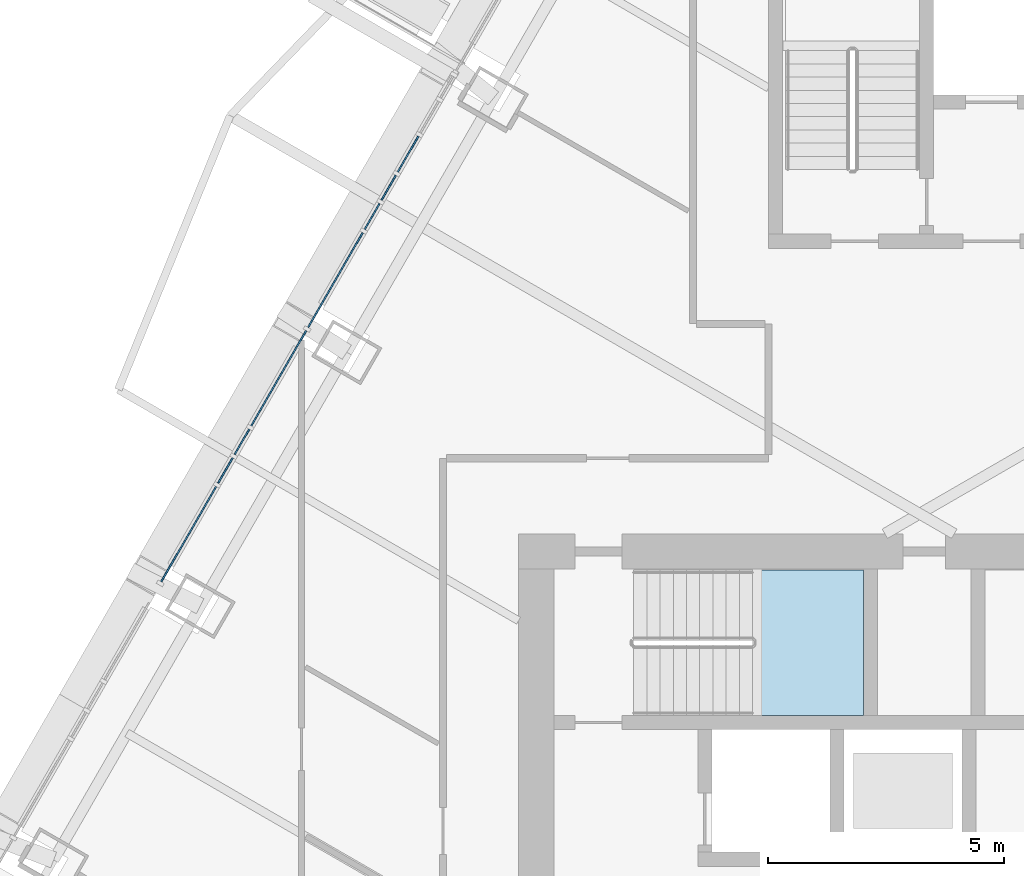
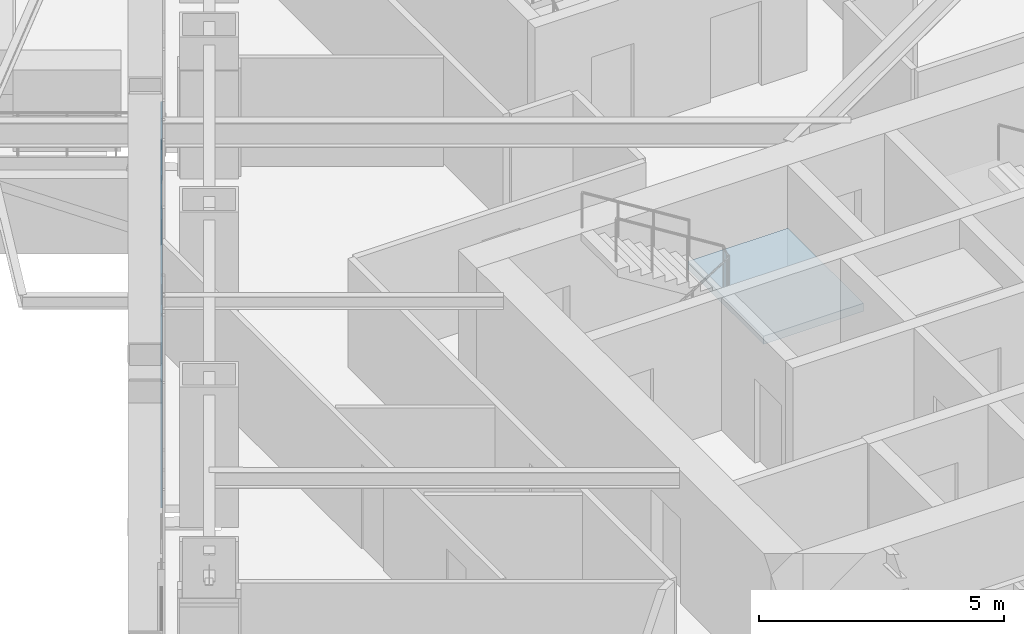
# One storey, part 10 of 23: 8 plates, 1 slab, 2 elements without a shape of their own.
"""IFC4 building model written with IfcOpenShell, lengths in metres."""

from ifc_helpers import new_model, si_unit, direction, frame, origin, place, context, subcontext, project, spatial, polyline, outline, extrude, material, layer, layer_set, type_object, element, aggregate, save


model = new_model("IFC4")

# Units and contexts
model_context = context("Model", 3, precision=1e-05, world=origin(), true_north=direction((0.0, 1.0)))
body_context = subcontext(model_context, "Body", "Model", "MODEL_VIEW")
ifc_project = project(units=[si_unit("LENGTHUNIT", "METRE"), si_unit("AREAUNIT", "SQUARE_METRE"), si_unit("VOLUMEUNIT", "CUBIC_METRE"), si_unit("PLANEANGLEUNIT", "RADIAN"), si_unit("MASSUNIT", "GRAM", prefix="KILO")], contexts=[model_context])

# Site, building, storey
site_placement = place(None, origin())
site = spatial("IfcSite", under=ifc_project, at=site_placement, CompositionType="ELEMENT")
building_placement = place(site_placement, origin())
building = spatial("IfcBuilding", under=site, at=building_placement, Name="Firuza Gate Tower and Library", CompositionType="ELEMENT")
storey_placement = place(building_placement, frame((0.0, 0.0, 291.60009765625)))
storey = spatial("IfcBuildingStorey", under=building, at=storey_placement, Name="L70", CompositionType="ELEMENT", Elevation=291.60009765625)

# Curtain wall, plates
ifc_material_1 = material(Name="Aluminium 6063-T6", Category="aluminium")
ifc_layer_1 = layer(ifc_material_1, 0.14990234375)
ifc_layer_set_1 = layer_set([ifc_layer_1], Name="Unitised curtain wall, residences")
curtain_wall_type = type_object("IfcCurtainWallType", Name="Unitised curtain wall, residences", PredefinedType="NOTDEFINED", material=ifc_layer_set_1)
placement = place(storey_placement, origin())
curtain_wall = element("IfcCurtainWall", 1, at=placement, inside=storey, type_object=curtain_wall_type, Name="CW3 L70 W face", PredefinedType="NOTDEFINED")
ifc_material_2 = material(Name="Fritted glass", Category="glass")
ifc_layer_2 = layer(ifc_material_2, 0.030029296875)
ifc_layer_set_2 = layer_set([ifc_layer_2], Name="Fritted glass unit, residences")
plate_type_1 = type_object("IfcPlateType", Name="Fritted glass unit, residences", PredefinedType="CURTAIN_PANEL", material=ifc_layer_set_2)
plate_1_placement = place(storey_placement, frame((64.3642578125, 90.18310546875, 0.14990234375), z_axis=(-0.866027162616, 0.499996953601, 0.0), x_axis=(-0.499996953601, -0.866027162616, 0.0)))
plate_1 = element("IfcPlate", 2, at=plate_1_placement, type_object=plate_type_1, Name="Glass unit", PredefinedType="CURTAIN_PANEL", context=body_context, shape_type="SweptSolid", body=[
    extrude(outline(polyline([(0.0, 0.0), (1.5654392254039695, 0.0), (1.5654392254039695, 1.534912109375), (0.0, 1.534912109375), (0.0, 0.0)])), origin(), (0.0, 0.0, -1.0), 0.030029296875),
])
plate_2_placement = place(storey_placement, frame((63.886474609375, 89.35546875, 1.764892578125), z_axis=(-0.865992225662, 0.50005746179, 0.0), x_axis=(-0.50005746179, -0.865992225662, 0.0)))
plate_2 = element("IfcPlate", 3, at=plate_2_placement, type_object=plate_type_1, Name="Glass unit", PredefinedType="CURTAIN_PANEL", context=body_context, shape_type="SweptSolid", body=[
    extrude(outline(polyline([(0.0, 0.0), (0.609793201631839, 0.0), (0.609793201631839, 1.5349121093750004), (0.0, 1.5349121093750004), (0.0, 0.0)])), origin(), (0.0, 0.0, -1.0), 0.030029296875),
])
plate_3_placement = place(storey_placement, frame((63.54150390625, 88.758056640625, 0.14990234375), z_axis=(-0.866127928132, 0.499822380561, 0.0), x_axis=(-0.499822380561, -0.866127928132, 0.0)))
plate_3 = element("IfcPlate", 4, at=plate_3_placement, type_object=plate_type_1, Name="Glass unit", PredefinedType="CURTAIN_PANEL", context=body_context, shape_type="SweptSolid", body=[
    extrude(outline(polyline([(0.0, 0.0), (0.634502743792482, 0.0), (0.634502743792482, 3.14990234375), (0.0, 3.14990234375), (0.0, 0.0)])), origin(), (0.0, 0.0, -1.0), 0.030029296875),
])
plate_4_placement = place(storey_placement, frame((60.77978515625, 83.974609375, 0.14990234375), z_axis=(-0.866061432277, 0.499937591627, 0.0), x_axis=(-0.499937591627, -0.866061432277, 0.0)))
plate_4 = element("IfcPlate", 5, at=plate_4_placement, type_object=plate_type_1, Name="Glass unit", PredefinedType="CURTAIN_PANEL", context=body_context, shape_type="SweptSolid", body=[
    extrude(outline(polyline([(0.0, 0.0), (0.622147966984566, 0.0), (0.622147966984566, 3.14990234375), (0.0, 3.14990234375), (0.0, 0.0)])), origin(), (0.0, 0.0, -1.0), 0.030029296875),
])
plate_5_placement = place(storey_placement, frame((60.4287109375, 83.366455078125, 0.14990234375), z_axis=(-0.866061432277, 0.499937591627, 0.0), x_axis=(-0.499937591627, -0.866061432277, 0.0)))
plate_5 = element("IfcPlate", 6, at=plate_5_placement, type_object=plate_type_1, Name="Glass unit", PredefinedType="CURTAIN_PANEL", context=body_context, shape_type="SweptSolid", body=[
    extrude(outline(polyline([(0.0, 0.0), (0.622147966984566, 0.0), (0.622147966984566, 3.14990234375), (0.0, 3.14990234375), (0.0, 0.0)])), origin(), (0.0, 0.0, -1.0), 0.030029296875),
])
ifc_material_3 = material(Name="Glazed ceramic tile")
ifc_layer_3 = layer(ifc_material_3, 0.030029296875)
ifc_layer_set_3 = layer_set([ifc_layer_3], Name="Opaque ceramic panel, residences")
plate_type_2 = type_object("IfcPlateType", Name="Opaque ceramic panel, residences", PredefinedType="CURTAIN_PANEL", material=ifc_layer_set_3)
plate_6_placement = place(storey_placement, frame((63.184326171875, 88.139404296875, 0.14990234375), z_axis=(-0.866031268329, 0.499989842173, 0.0), x_axis=(-0.499989842173, -0.866031268329, 0.0)))
plate_6 = element("IfcPlate", 7, at=plate_6_placement, type_object=plate_type_2, Name="Opaque ceramic panel", PredefinedType="CURTAIN_PANEL", context=body_context, shape_type="SweptSolid", body=[
    extrude(outline(polyline([(0.0, 0.0), (2.3184064749454203, 0.0), (2.3184064749454203, 3.14990234375), (0.0, 3.14990234375), (0.0, 0.0)])), origin(), (0.0, 0.0, -1.0), 0.030029296875),
])
plate_7_placement = place(storey_placement, frame((61.985107421875, 86.062255859375, 0.14990234375), z_axis=(-0.866023347809, 0.500003561037, 0.0), x_axis=(-0.500003561037, -0.866023347809, 0.0)))
plate_7 = element("IfcPlate", 8, at=plate_7_placement, type_object=plate_type_2, Name="Opaque ceramic panel", PredefinedType="CURTAIN_PANEL", context=body_context, shape_type="SweptSolid", body=[
    extrude(outline(polyline([(0.0, 0.0), (2.330549807902016, 0.0), (2.330549807902016, 3.14990234375), (0.0, 3.14990234375), (0.0, 0.0)])), origin(), (0.0, 0.0, -1.0), 0.030029296875),
])
plate_8_placement = place(storey_placement, frame((60.07763671875, 82.75830078125, 0.14990234375), z_axis=(-0.866023347809, 0.500003561037, 0.0), x_axis=(-0.500003561037, -0.866023347809, 0.0)))
plate_8 = element("IfcPlate", 9, at=plate_8_placement, type_object=plate_type_2, Name="Opaque ceramic panel", PredefinedType="CURTAIN_PANEL", context=body_context, shape_type="SweptSolid", body=[
    extrude(outline(polyline([(0.0, 0.0), (2.330549807902016, 0.0), (2.330549807902016, 3.14990234375), (0.0, 3.14990234375), (0.0, 0.0)])), origin(), (0.0, 0.0, -1.0), 0.030029296875),
])
aggregate(curtain_wall, [plate_1, plate_2, plate_3, plate_6, plate_7, plate_4, plate_5, plate_8])

# Stair, slab
ifc_material_4 = material(Name="Concrete C35/45", Category="concrete")
stair_type = type_object("IfcStairType", Name="Exit stair ST8", PredefinedType="HALF_TURN_STAIR", material=ifc_material_4)
stair = element("IfcStair", 10, at=placement, inside=storey, type_object=stair_type, Name="L70 Stair ST1", PredefinedType="HALF_TURN_STAIR")
ifc_material_5 = material(Name="Concrete C35/45", Category="concrete")
ifc_layer_4 = layer(ifc_material_5, 0.199951171875)
ifc_layer_set_4 = layer_set([ifc_layer_4], Name="Stair landing 200")
slab_type = type_object("IfcSlabType", Name="Stair landing 200", PredefinedType="LANDING", material=ifc_layer_set_4)
slab_placement = place(storey_placement, frame((0.0, 0.0, 1.5498046875)))
slab = element("IfcSlab", 11, at=slab_placement, type_object=slab_type, Name="ST1 landing 1", PredefinedType="LANDING", context=body_context, shape_type="SweptSolid", body=[
    extrude(outline(polyline([(71.4599609375, 77.89990234375), (73.81005859375, 77.89990234375), (73.81005859375, 80.97998046875), (71.4599609375, 80.97998046875), (71.4599609375, 77.89990234375)])), origin(), (0.0, 0.0, 1.0), 0.2001953125),
])
aggregate(stair, [slab])

save(model, "model.ifc")
